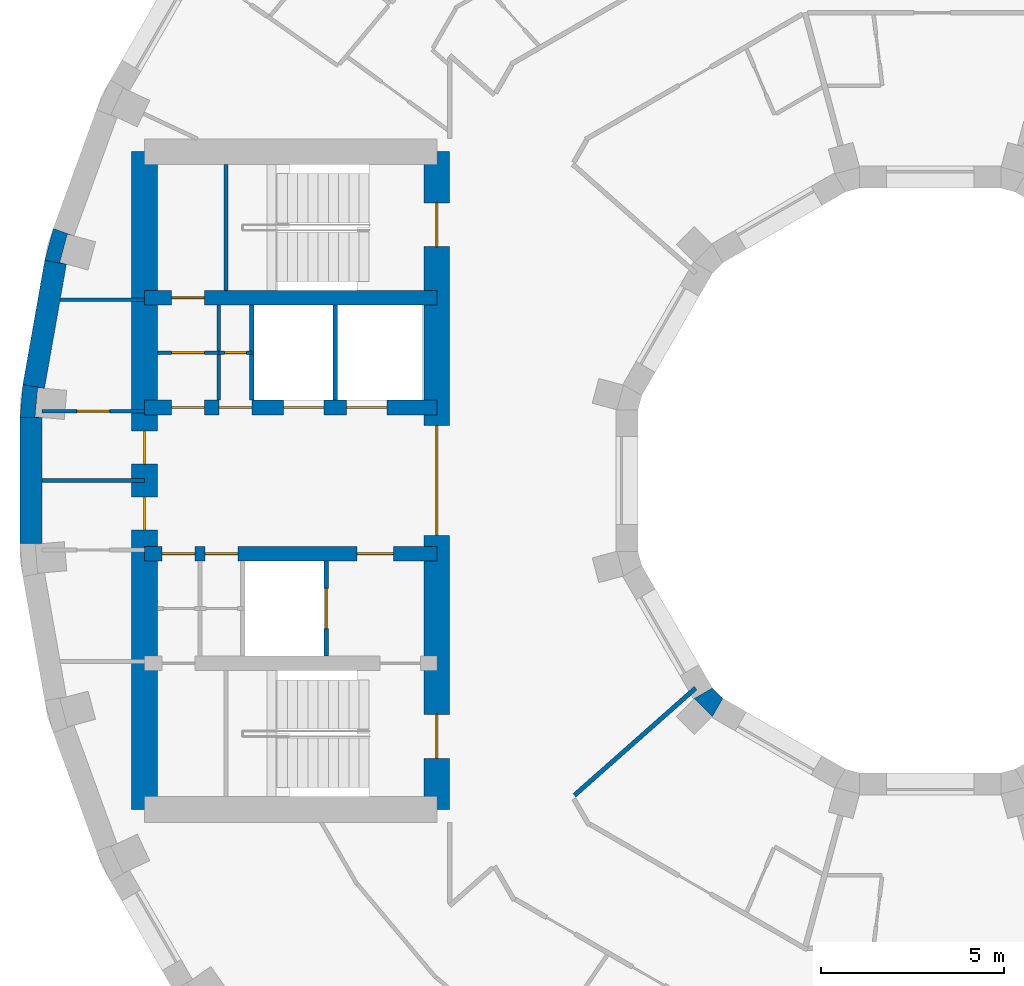
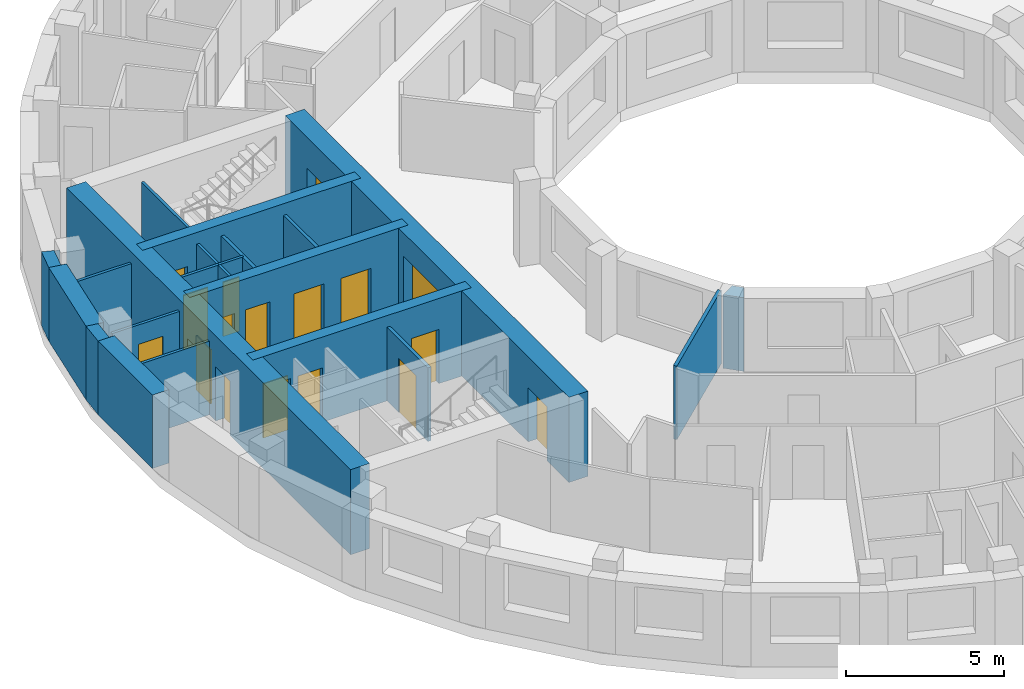
# One storey, part 6 of 15: 21 walls, 17 doors, 17 openings.
"""IFC4 building model written with IfcOpenShell, lengths in metres."""

from ifc_helpers import new_model, si_unit, direction, frame, frame_2d, origin, place, context, subcontext, project, spatial, polyline, rectangle, outline, extrude, material, layer, layer_set, type_object, element, fill, save


model = new_model("IFC4")

# Units and contexts
model_context = context("Model", 3, precision=1e-05, world=origin(), true_north=direction((0.0, 1.0)))
body_context = subcontext(model_context, "Body", "Model", "MODEL_VIEW")
ifc_project = project(units=[si_unit("LENGTHUNIT", "METRE"), si_unit("AREAUNIT", "SQUARE_METRE"), si_unit("VOLUMEUNIT", "CUBIC_METRE"), si_unit("PLANEANGLEUNIT", "RADIAN"), si_unit("MASSUNIT", "GRAM", prefix="KILO")], contexts=[model_context])

# Site, building, storey
site_placement = place(None, origin())
site = spatial("IfcSite", under=ifc_project, at=site_placement, CompositionType="ELEMENT")
building_placement = place(site_placement, origin())
building = spatial("IfcBuilding", under=site, at=building_placement, Name="Saqina Gate Tower", CompositionType="ELEMENT")
storey_placement = place(building_placement, frame((0.0, 0.0, 197.10009765625)))
storey = spatial("IfcBuildingStorey", under=building, at=storey_placement, Name="L56", CompositionType="ELEMENT", Elevation=197.10009765625)

# Walls
ifc_material_1 = material(Name="Brick masonry (buff)", Category="masonry")
wall_type_1 = type_object("IfcWallType", Name="BRICK PIER COPING BUFF", PredefinedType="SOLIDWALL", material=ifc_material_1)
wall_1_placement = place(storey_placement, origin())
element("IfcWall", 1, at=wall_1_placement, inside=storey, type_object=wall_type_1, Name="Pier cap L56 column 17", PredefinedType="SOLIDWALL", context=body_context, shape_type="SweptSolid", body=[
    extrude(outline(polyline([(-24.22705078125, 6.0234375), (-23.635986328125, 5.919189453125), (-23.81689453125, 5.967529296875), (-23.610107421875, 6.740478515625), (-23.428955078125, 6.69189453125), (-23.992919921875, 6.897216796875), (-24.22705078125, 6.0234375)])), origin(), (0.0, 0.0, 1.0), 2.849853515625),
])
wall_2_placement = place(storey_placement, origin())
element("IfcWall", 2, at=wall_2_placement, inside=storey, type_object=wall_type_1, Name="Pier cap L56 column 18", PredefinedType="SOLIDWALL", context=body_context, shape_type="SweptSolid", body=[
    extrude(outline(polyline([(-24.825927734375, 2.6259765625), (-24.90478515625, 1.724853515625), (-24.304931640625, 1.724853515625), (-24.491455078125, 1.7412109375), (-24.421630859375, 2.5380859375), (-24.235107421875, 2.521728515625), (-24.825927734375, 2.6259765625)])), origin(), (0.0, 0.0, 1.0), 2.849853515625),
])
ifc_material_2 = material(Name="Gypsum board on steel studs", Category="steel")
ifc_layer_1 = layer(ifc_material_2, 0.10009765625)
ifc_layer_set_1 = layer_set([ifc_layer_1], Name="CORE PARTITION")
wall_type_2 = type_object("IfcWallType", Name="CORE PARTITION", PredefinedType="PARTITIONING", material=ifc_layer_set_1)
wall_3_placement = place(storey_placement, frame((-21.5, 4.949951171875, 0.0), z_axis=(0.0, 0.0, 1.0), x_axis=(-1.0, 0.0, 0.0)))
element("IfcWall", 3, at=wall_3_placement, inside=storey, type_object=wall_type_2, Name="L56-CP-W01", PredefinedType="PARTITIONING", context=body_context, shape_type="SweptSolid", body=[
    extrude(rectangle(XDim=2.306884765625, YDim=0.10009765625, at=frame_2d((1.1533203125, 0.0))), origin(), (0.0, 0.0, 1.0), 2.849853515625),
])

# Wall, opening, door
wall_4_placement = place(storey_placement, frame((-21.5, 1.89990234375, 0.0), z_axis=(0.0, 0.0, 1.0), x_axis=(-1.0, 0.0, 0.0)))
wall_4 = element("IfcWall", 4, at=wall_4_placement, inside=storey, type_object=wall_type_2, Name="L56-CP-W02", PredefinedType="PARTITIONING", context=body_context, shape_type="SweptSolid", body=[
    extrude(rectangle(XDim=2.804931640625, YDim=0.10009765625, at=frame_2d((1.40234375, 0.0))), origin(), (0.0, 0.0, 1.0), 2.849853515625),
])
opening_1_placement = place(wall_4_placement, frame((0.952392578125, 0.0, 0.0)))
opening_1 = element("IfcOpeningElement", 5, at=opening_1_placement, cuts=wall_4, Name="Opening G16-D114", PredefinedType="OPENING", context=body_context, shape_type="SweptSolid", body=[
    extrude(rectangle(XDim=0.89990234375, YDim=2.10009765625, at=frame_2d((0.449951171875, 1.050048828125))), frame((0.0, 0.06201171875, 0.0), z_axis=(0.0, -1.0, 0.0), x_axis=(1.0, 0.0, 0.0)), (0.0, 0.0, 1.0), 0.1240234375),
])
ifc_material_3 = material(Name="Steel-framed fire door leaf, EI 60", Category="steel")
door_type_1 = type_object("IfcDoorType", Name="SERVICE ROOM DOOR 900", OperationType="SINGLE_SWING_LEFT", PredefinedType="DOOR", material=ifc_material_3)
door_1_placement = place(opening_1_placement, frame((0.89990234375, 0.0, 0.0), z_axis=(0.0, 0.0, 1.0), x_axis=(-1.0, 0.0, 0.0)))
door_1 = element("IfcDoor", 6, at=door_1_placement, inside=storey, type_object=door_type_1, Name="L56-CD-W25", OperationType="SINGLE_SWING_RIGHT", OverallHeight=2.10009765625, OverallWidth=0.89990234375, PredefinedType="DOOR", context=body_context, shape_type="SweptSolid", body=[
    extrude(rectangle(XDim=0.89990234375, YDim=2.10009765625, at=frame_2d((0.449951171875, 1.050048828125))), frame((0.0, 0.02490234375, 0.0), z_axis=(0.0, -1.0, 0.0), x_axis=(1.0, 0.0, 0.0)), (0.0, 0.0, 1.0), 0.050048828125),
])
fill(opening_1, door_1)

# Walls
wall_5_placement = place(storey_placement, frame((-21.5, 0.0, 0.0), z_axis=(0.0, 0.0, 1.0), x_axis=(-1.0, 0.0, 0.0)))
element("IfcWall", 7, at=wall_5_placement, inside=storey, type_object=wall_type_2, Name="L56-CP-W05", PredefinedType="PARTITIONING", context=body_context, shape_type="SweptSolid", body=[
    extrude(rectangle(XDim=2.804931640625, YDim=0.10009765625, at=frame_2d((1.40234375, 0.0))), origin(), (0.0, 0.0, 1.0), 2.849853515625),
])
wall_6_placement = place(storey_placement, frame((-19.466552734375, 2.199951171875, 0.0), z_axis=(0.0, 0.0, 1.0), x_axis=(0.0, 1.0, 0.0)))
element("IfcWall", 8, at=wall_6_placement, inside=storey, type_object=wall_type_2, Name="L56-CP-W08", PredefinedType="PARTITIONING", context=body_context, shape_type="SweptSolid", body=[
    extrude(rectangle(XDim=2.60009765625, YDim=0.10009765625, at=frame_2d((1.300048828125, 0.0))), origin(), (0.0, 0.0, 1.0), 2.849853515625),
])

# Wall, opening, door
wall_7_placement = place(storey_placement, frame((-18.56005859375, 3.5, 0.0), z_axis=(0.0, 0.0, 1.0), x_axis=(-1.0, 0.0, 0.0)))
wall_7 = element("IfcWall", 9, at=wall_7_placement, inside=storey, type_object=wall_type_2, Name="L56-CP-W12", PredefinedType="PARTITIONING", context=body_context, shape_type="SweptSolid", body=[
    extrude(rectangle(XDim=0.906494140625, YDim=0.10009765625, at=frame_2d((0.453125, 0.0))), origin(), (0.0, 0.0, 1.0), 2.849853515625),
])
opening_2_placement = place(wall_7_placement, frame((0.149658203125, 0.0, 0.0)))
opening_2 = element("IfcOpeningElement", 10, at=opening_2_placement, cuts=wall_7, Name="Opening G16-D118", PredefinedType="OPENING", context=body_context, shape_type="SweptSolid", body=[
    extrude(rectangle(XDim=0.60009765625, YDim=2.10009765625, at=frame_2d((0.300048828125, 1.050048828125))), frame((0.0, 0.06201171875, 0.0), z_axis=(0.0, -1.0, 0.0), x_axis=(1.0, 0.0, 0.0)), (0.0, 0.0, 1.0), 0.1240234375),
])
ifc_material_4 = material(Name="Steel-framed fire door leaf, EI 60", Category="steel")
door_type_2 = type_object("IfcDoorType", Name="SERVICE ROOM DOOR 600", OperationType="SINGLE_SWING_LEFT", PredefinedType="DOOR", material=ifc_material_4)
door_2_placement = place(opening_2_placement, origin())
door_2 = element("IfcDoor", 11, at=door_2_placement, inside=storey, type_object=door_type_2, Name="L56-CD-W29", OperationType="SINGLE_SWING_LEFT", OverallHeight=2.10009765625, OverallWidth=0.60009765625, PredefinedType="DOOR", context=body_context, shape_type="SweptSolid", body=[
    extrude(rectangle(XDim=0.60009765625, YDim=2.10009765625, at=frame_2d((0.300048828125, 1.050048828125))), frame((0.0, 0.02490234375, 0.0), z_axis=(0.0, -1.0, 0.0), x_axis=(1.0, 0.0, 0.0)), (0.0, 0.0, 1.0), 0.050048828125),
])
fill(opening_2, door_2)

wall_8_placement = place(storey_placement, frame((-19.466552734375, 3.5, 0.0), z_axis=(0.0, 0.0, 1.0), x_axis=(-1.0, 0.0, 0.0)))
wall_8 = element("IfcWall", 12, at=wall_8_placement, inside=storey, type_object=wall_type_2, Name="L56-CP-W13", PredefinedType="PARTITIONING", context=body_context, shape_type="SweptSolid", body=[
    extrude(rectangle(XDim=1.683349609375, YDim=0.10009765625, at=frame_2d((0.841796875, 0.0))), origin(), (0.0, 0.0, 1.0), 2.849853515625),
])
opening_3_placement = place(wall_8_placement, frame((0.391845703125, 0.0, 0.0)))
opening_3 = element("IfcOpeningElement", 13, at=opening_3_placement, cuts=wall_8, Name="Opening G16-D119", PredefinedType="OPENING", context=body_context, shape_type="SweptSolid", body=[
    extrude(rectangle(XDim=0.89990234375, YDim=2.10009765625, at=frame_2d((0.449951171875, 1.050048828125))), frame((0.0, 0.06201171875, 0.0), z_axis=(0.0, -1.0, 0.0), x_axis=(1.0, 0.0, 0.0)), (0.0, 0.0, 1.0), 0.1240234375),
])
door_3_placement = place(opening_3_placement, frame((0.89990234375, 0.0, 0.0), z_axis=(0.0, 0.0, 1.0), x_axis=(-1.0, 0.0, 0.0)))
door_3 = element("IfcDoor", 14, at=door_3_placement, inside=storey, type_object=door_type_1, Name="L56-CD-W30", OperationType="SINGLE_SWING_LEFT", OverallHeight=2.10009765625, OverallWidth=0.89990234375, PredefinedType="DOOR", context=body_context, shape_type="SweptSolid", body=[
    extrude(rectangle(XDim=0.89990234375, YDim=2.10009765625, at=frame_2d((0.449951171875, 1.050048828125))), frame((0.0, 0.02490234375, 0.0), z_axis=(0.0, -1.0, 0.0), x_axis=(1.0, 0.0, 0.0)), (0.0, 0.0, 1.0), 0.050048828125),
])
fill(opening_3, door_3)

# Walls
ifc_material_5 = material(Name="Glazed ceramic tile", Category="ceramic")
ifc_layer_2 = layer(ifc_material_5, 0.60009765625)
ifc_layer_set_2 = layer_set([ifc_layer_2], Name="FW-TILE")
wall_type_3 = type_object("IfcWallType", Name="FW-TILE", PredefinedType="SOLIDWALL", material=ifc_layer_set_2)
wall_9_placement = place(storey_placement, frame((-23.931640625, 5.97119140625, 0.0), z_axis=(0.0, 0.0, 1.0), x_axis=(-0.173607684551, -0.984814892183, 0.0)))
element("IfcWall", 15, at=wall_9_placement, inside=storey, type_object=wall_type_3, Name="Facade wall L56 facet 17", PredefinedType="SOLIDWALL", context=body_context, shape_type="SweptSolid", body=[
    extrude(rectangle(XDim=3.44970703125, YDim=0.60009765625, at=frame_2d((1.724853515625, 0.0))), origin(), (0.0, 0.0, 1.0), 2.849853515625),
])
ifc_material_6 = material(Name="Glazed ceramic tile (dark blue)", Category="ceramic")
ifc_layer_3 = layer(ifc_material_6, 0.60009765625)
ifc_layer_set_3 = layer_set([ifc_layer_3], Name="FW-TILE-CB")
wall_type_4 = type_object("IfcWallType", Name="FW-TILE-CB", PredefinedType="SOLIDWALL", material=ifc_layer_set_3)
wall_10_placement = place(storey_placement, frame((-24.60498046875, 1.724853515625, 0.0), z_axis=(0.0, 0.0, 1.0), x_axis=(0.0, -1.0, 0.0)))
element("IfcWall", 16, at=wall_10_placement, inside=storey, type_object=wall_type_4, Name="Facade wall L56 facet 18", PredefinedType="SOLIDWALL", context=body_context, shape_type="SweptSolid", body=[
    extrude(rectangle(XDim=3.44970703125, YDim=0.60009765625, at=frame_2d((1.724853515625, 0.0))), origin(), (0.0, 0.0, 1.0), 2.849853515625),
])
ifc_material_7 = material(Name="Gypsum board on steel studs, 125 mm, fire rated", Category="steel")
ifc_layer_4 = layer(ifc_material_7, 0.125)
ifc_layer_set_4 = layer_set([ifc_layer_4], Name="PARTITION EI 30 125")
wall_type_5 = type_object("IfcWallType", Name="PARTITION EI 30 125", PredefinedType="PARTITIONING", material=ifc_layer_set_4)
wall_11_placement = place(storey_placement, frame((-9.7373046875, -8.612548828125, 0.0), z_axis=(0.0, 0.0, 1.0), x_axis=(0.748961830347, 0.662613142552, 0.0)))
element("IfcWall", 17, at=wall_11_placement, inside=storey, type_object=wall_type_5, Name="PARTITION PW1-40", PredefinedType="PARTITIONING", context=body_context, shape_type="SweptSolid", body=[
    extrude(rectangle(XDim=4.427734375, YDim=0.125, at=frame_2d((2.2138671875, 0.0))), origin(), (0.0, 0.0, 1.0), 2.849853515625),
])
ifc_material_8 = material(Name="Autoclaved aerated concrete block", Category="concrete")
ifc_layer_5 = layer(ifc_material_8, 0.1201171875)
ifc_layer_set_5 = layer_set([ifc_layer_5], Name="SHAFT PARTITION")
wall_type_6 = type_object("IfcWallType", Name="SHAFT PARTITION", PredefinedType="PARTITIONING", material=ifc_layer_set_5)
for number, where, z_axis, x_axis, name in (
    (18, (-16.280029296875, 2.199951171875, 0.0), (0.0, 0.0, 1.0), (0.0, 1.0, 0.0), "L56-CP-W06"),
    (19, (-18.56005859375, 2.199951171875, 0.0), (0.0, 0.0, 1.0), (0.0, 1.0, 0.0), "L56-CP-W07"),
):
    element("IfcWall", number, at=place(storey_placement, frame(where, z_axis=z_axis, x_axis=x_axis)), inside=storey, type_object=wall_type_6, Name=name, PredefinedType="PARTITIONING", context=body_context, shape_type="SweptSolid", body=[
        extrude(rectangle(XDim=2.60009765625, YDim=0.1201171875, at=frame_2d((1.300048828125, 0.0))), origin(), (0.0, 0.0, 1.0), 2.849853515625),
    ])

# Wall, opening, door
wall_12_placement = place(storey_placement, frame((-16.530029296875, -4.800048828125, 0.0), z_axis=(0.0, 0.0, 1.0), x_axis=(0.0, 1.0, 0.0)))
wall_12 = element("IfcWall", 20, at=wall_12_placement, inside=storey, type_object=wall_type_6, Name="L56-CP-W09", PredefinedType="PARTITIONING", context=body_context, shape_type="SweptSolid", body=[
    extrude(rectangle(XDim=2.60009765625, YDim=0.1201171875, at=frame_2d((1.300048828125, 0.0))), origin(), (0.0, 0.0, 1.0), 2.849853515625),
])
opening_4_placement = place(wall_12_placement, frame((0.75, 0.0, 0.0)))
opening_4 = element("IfcOpeningElement", 21, at=opening_4_placement, cuts=wall_12, Name="Opening G16-LD6", PredefinedType="OPENING", context=body_context, shape_type="SweptSolid", body=[
    extrude(rectangle(XDim=1.10009765625, YDim=2.10009765625, at=frame_2d((0.550048828125, 1.050048828125))), frame((0.0, 0.072021484375, 0.0), z_axis=(0.0, -1.0, 0.0), x_axis=(1.0, 0.0, 0.0)), (0.0, 0.0, 1.0), 0.14404296875),
])
ifc_material_9 = material(Name="Stainless steel", Category="steel")
door_type_3 = type_object("IfcDoorType", Name="LANDING DOOR", OperationType="DOUBLE_DOOR_SLIDING", PredefinedType="DOOR", material=ifc_material_9)
door_4_placement = place(opening_4_placement, origin())
door_4 = element("IfcDoor", 22, at=door_4_placement, inside=storey, type_object=door_type_3, Name="LANDING DOOR FF2", OperationType="DOUBLE_DOOR_SLIDING", OverallHeight=2.10009765625, OverallWidth=1.10009765625, PredefinedType="DOOR", context=body_context, shape_type="SweptSolid", body=[
    extrude(rectangle(XDim=1.10009765625, YDim=2.10009765625, at=frame_2d((0.550048828125, 1.050048828125))), frame((0.0, 0.02490234375, 0.0), z_axis=(0.0, -1.0, 0.0), x_axis=(1.0, 0.0, 0.0)), (0.0, 0.0, 1.0), 0.050048828125),
])
fill(opening_4, door_4)

# Wall
ifc_material_10 = material(Name="Autoclaved aerated concrete block", Category="concrete")
ifc_layer_6 = layer(ifc_material_10, 0.10009765625)
ifc_layer_set_6 = layer_set([ifc_layer_6], Name="STAIR ENCLOSURE WALL")
wall_type_7 = type_object("IfcWallType", Name="STAIR ENCLOSURE WALL", PredefinedType="PARTITIONING", material=ifc_layer_set_6)
wall_13_placement = place(storey_placement, frame((-19.27001953125, 5.199951171875, 0.0), z_axis=(0.0, 0.0, 1.0), x_axis=(0.0, 1.0, 0.0)))
element("IfcWall", 23, at=wall_13_placement, inside=storey, type_object=wall_type_7, Name="L56-CP-W16", PredefinedType="PARTITIONING", context=body_context, shape_type="SweptSolid", body=[
    extrude(rectangle(XDim=3.449951171875, YDim=0.10009765625, at=frame_2d((1.72509765625, 0.0))), origin(), (0.0, 0.0, 1.0), 2.849853515625),
])

# Wall, opening, door
ifc_material_11 = material(Name="Concrete C60/75", Category="concrete")
ifc_layer_7 = layer(ifc_material_11, 0.39990234375)
ifc_layer_set_7 = layer_set([ifc_layer_7], Name="Concrete C60/75")
wall_type_8 = type_object("IfcWallType", Name="STR-CORE WALL-C-I", PredefinedType="SHEAR", material=ifc_layer_set_7)
wall_14_placement = place(storey_placement, frame((-13.5, 5.0, 0.0), z_axis=(0.0, 0.0, 1.0), x_axis=(-1.0, 0.0, 0.0)))
wall_14 = element("IfcWall", 24, at=wall_14_placement, inside=storey, type_object=wall_type_8, Name="CORE WALL L56 W-X1", PredefinedType="SHEAR", context=body_context, shape_type="SweptSolid", body=[
    extrude(rectangle(XDim=8.0, YDim=0.39990234375, at=frame_2d((4.0, 0.0))), origin(), (0.0, 0.0, 1.0), 3.2998046875),
])
opening_5_placement = place(wall_14_placement, frame((6.358154296875, 0.0, 0.0)))
opening_5 = element("IfcOpeningElement", 25, at=opening_5_placement, cuts=wall_14, Name="Opening G16-D120", PredefinedType="OPENING", context=body_context, shape_type="SweptSolid", body=[
    extrude(rectangle(XDim=0.89990234375, YDim=2.10009765625, at=frame_2d((0.449951171875, 1.050048828125))), frame((0.0, 0.2119140625, 0.0), z_axis=(0.0, -1.0, 0.0), x_axis=(1.0, 0.0, 0.0)), (0.0, 0.0, 1.0), 0.423828125),
])
door_5_placement = place(opening_5_placement, frame((0.89990234375, 0.0, 0.0), z_axis=(0.0, 0.0, 1.0), x_axis=(-1.0, 0.0, 0.0)))
door_5 = element("IfcDoor", 26, at=door_5_placement, inside=storey, type_object=door_type_1, Name="L56-CD-W31", OperationType="SINGLE_SWING_LEFT", OverallHeight=2.10009765625, OverallWidth=0.89990234375, PredefinedType="DOOR", context=body_context, shape_type="SweptSolid", body=[
    extrude(rectangle(XDim=0.89990234375, YDim=2.10009765625, at=frame_2d((0.449951171875, 1.050048828125))), frame((0.0, 0.02490234375, 0.0), z_axis=(0.0, -1.0, 0.0), x_axis=(1.0, 0.0, 0.0)), (0.0, 0.0, 1.0), 0.050048828125),
])
fill(opening_5, door_5)

# Wall, openings, doors
wall_15_placement = place(storey_placement, frame((-13.5, 2.0, 0.0), z_axis=(0.0, 0.0, 1.0), x_axis=(-1.0, 0.0, 0.0)))
wall_15 = element("IfcWall", 27, at=wall_15_placement, inside=storey, type_object=wall_type_8, Name="CORE WALL L56 W-L1", PredefinedType="SHEAR", context=body_context, shape_type="SweptSolid", body=[
    extrude(rectangle(XDim=8.0, YDim=0.39990234375, at=frame_2d((4.0, 0.0))), origin(), (0.0, 0.0, 1.0), 3.2998046875),
])
opening_6_placement = place(wall_15_placement, frame((1.3701171875, 0.0, 0.0)))
opening_6 = element("IfcOpeningElement", 28, at=opening_6_placement, cuts=wall_15, Name="Opening G16-LD4", PredefinedType="OPENING", context=body_context, shape_type="SweptSolid", body=[
    extrude(rectangle(XDim=1.10009765625, YDim=2.10009765625, at=frame_2d((0.550048828125, 1.050048828125))), frame((0.0, 0.2119140625, 0.0), z_axis=(0.0, -1.0, 0.0), x_axis=(1.0, 0.0, 0.0)), (0.0, 0.0, 1.0), 0.423828125),
])
opening_7_placement = place(wall_15_placement, frame((3.090087890625, 0.0, 0.0)))
opening_7 = element("IfcOpeningElement", 29, at=opening_7_placement, cuts=wall_15, Name="Opening G16-LD5", PredefinedType="OPENING", context=body_context, shape_type="SweptSolid", body=[
    extrude(rectangle(XDim=1.10009765625, YDim=2.10009765625, at=frame_2d((0.550048828125, 1.050048828125))), frame((0.0, 0.2119140625, 0.0), z_axis=(0.0, -1.0, 0.0), x_axis=(1.0, 0.0, 0.0)), (0.0, 0.0, 1.0), 0.423828125),
])
opening_8_placement = place(wall_15_placement, frame((5.063232421875, 0.0, 0.0)))
opening_8 = element("IfcOpeningElement", 30, at=opening_8_placement, cuts=wall_15, Name="Opening G16-D109", PredefinedType="OPENING", context=body_context, shape_type="SweptSolid", body=[
    extrude(rectangle(XDim=0.89990234375, YDim=2.10009765625, at=frame_2d((0.449951171875, 1.050048828125))), frame((0.0, 0.2119140625, 0.0), z_axis=(0.0, -1.0, 0.0), x_axis=(1.0, 0.0, 0.0)), (0.0, 0.0, 1.0), 0.423828125),
])
opening_9_placement = place(wall_15_placement, frame((6.358154296875, 0.0, 0.0)))
opening_9 = element("IfcOpeningElement", 31, at=opening_9_placement, cuts=wall_15, Name="Opening G16-D110", PredefinedType="OPENING", context=body_context, shape_type="SweptSolid", body=[
    extrude(rectangle(XDim=0.89990234375, YDim=2.10009765625, at=frame_2d((0.449951171875, 1.050048828125))), frame((0.0, 0.2119140625, 0.0), z_axis=(0.0, -1.0, 0.0), x_axis=(1.0, 0.0, 0.0)), (0.0, 0.0, 1.0), 0.423828125),
])
door_6_placement = place(opening_6_placement, origin())
door_6 = element("IfcDoor", 32, at=door_6_placement, inside=storey, type_object=door_type_3, Name="LANDING DOOR HR3", OperationType="DOUBLE_DOOR_SLIDING", OverallHeight=2.10009765625, OverallWidth=1.10009765625, PredefinedType="DOOR", context=body_context, shape_type="SweptSolid", body=[
    extrude(rectangle(XDim=1.10009765625, YDim=2.10009765625, at=frame_2d((0.550048828125, 1.050048828125))), frame((0.0, 0.02490234375, 0.0), z_axis=(0.0, -1.0, 0.0), x_axis=(1.0, 0.0, 0.0)), (0.0, 0.0, 1.0), 0.050048828125),
])
fill(opening_6, door_6)
door_7_placement = place(opening_7_placement, origin())
door_7 = element("IfcDoor", 33, at=door_7_placement, inside=storey, type_object=door_type_3, Name="LANDING DOOR HR4", OperationType="DOUBLE_DOOR_SLIDING", OverallHeight=2.10009765625, OverallWidth=1.10009765625, PredefinedType="DOOR", context=body_context, shape_type="SweptSolid", body=[
    extrude(rectangle(XDim=1.10009765625, YDim=2.10009765625, at=frame_2d((0.550048828125, 1.050048828125))), frame((0.0, 0.02490234375, 0.0), z_axis=(0.0, -1.0, 0.0), x_axis=(1.0, 0.0, 0.0)), (0.0, 0.0, 1.0), 0.050048828125),
])
fill(opening_7, door_7)
door_8_placement = place(opening_8_placement, frame((0.89990234375, 0.0, 0.0), z_axis=(0.0, 0.0, 1.0), x_axis=(-1.0, 0.0, 0.0)))
door_8 = element("IfcDoor", 34, at=door_8_placement, inside=storey, type_object=door_type_1, Name="L56-CD-W20", OperationType="SINGLE_SWING_RIGHT", OverallHeight=2.10009765625, OverallWidth=0.89990234375, PredefinedType="DOOR", context=body_context, shape_type="SweptSolid", body=[
    extrude(rectangle(XDim=0.89990234375, YDim=2.10009765625, at=frame_2d((0.449951171875, 1.050048828125))), frame((0.0, 0.02490234375, 0.0), z_axis=(0.0, -1.0, 0.0), x_axis=(1.0, 0.0, 0.0)), (0.0, 0.0, 1.0), 0.050048828125),
])
fill(opening_8, door_8)
door_9_placement = place(opening_9_placement, frame((0.89990234375, 0.0, 0.0), z_axis=(0.0, 0.0, 1.0), x_axis=(-1.0, 0.0, 0.0)))
door_9 = element("IfcDoor", 35, at=door_9_placement, inside=storey, type_object=door_type_1, Name="L56-CD-W21", OperationType="SINGLE_SWING_LEFT", OverallHeight=2.10009765625, OverallWidth=0.89990234375, PredefinedType="DOOR", context=body_context, shape_type="SweptSolid", body=[
    extrude(rectangle(XDim=0.89990234375, YDim=2.10009765625, at=frame_2d((0.449951171875, 1.050048828125))), frame((0.0, 0.02490234375, 0.0), z_axis=(0.0, -1.0, 0.0), x_axis=(1.0, 0.0, 0.0)), (0.0, 0.0, 1.0), 0.050048828125),
])
fill(opening_9, door_9)

wall_16_placement = place(storey_placement, frame((-13.5, -2.0, 0.0), z_axis=(0.0, 0.0, 1.0), x_axis=(-1.0, 0.0, 0.0)))
wall_16 = element("IfcWall", 36, at=wall_16_placement, inside=storey, type_object=wall_type_8, Name="CORE WALL L56 W-L2", PredefinedType="SHEAR", context=body_context, shape_type="SweptSolid", body=[
    extrude(rectangle(XDim=8.0, YDim=0.39990234375, at=frame_2d((4.0, 0.0))), origin(), (0.0, 0.0, 1.0), 3.2998046875),
])
opening_10_placement = place(wall_16_placement, frame((1.18994140625, 0.0, 0.0)))
opening_10 = element("IfcOpeningElement", 37, at=opening_10_placement, cuts=wall_16, Name="Opening G16-D111", PredefinedType="OPENING", context=body_context, shape_type="SweptSolid", body=[
    extrude(rectangle(XDim=1.0, YDim=2.10009765625, at=frame_2d((0.5, 1.050048828125))), frame((0.0, 0.2119140625, 0.0), z_axis=(0.0, -1.0, 0.0), x_axis=(1.0, 0.0, 0.0)), (0.0, 0.0, 1.0), 0.423828125),
])
opening_11_placement = place(wall_16_placement, frame((5.445068359375, 0.0, 0.0)))
opening_11 = element("IfcOpeningElement", 38, at=opening_11_placement, cuts=wall_16, Name="Opening G16-D112", PredefinedType="OPENING", context=body_context, shape_type="SweptSolid", body=[
    extrude(rectangle(XDim=0.89990234375, YDim=2.10009765625, at=frame_2d((0.449951171875, 1.050048828125))), frame((0.0, 0.2119140625, 0.0), z_axis=(0.0, -1.0, 0.0), x_axis=(1.0, 0.0, 0.0)), (0.0, 0.0, 1.0), 0.423828125),
])
opening_12_placement = place(wall_16_placement, frame((6.614990234375, 0.0, 0.0)))
opening_12 = element("IfcOpeningElement", 39, at=opening_12_placement, cuts=wall_16, Name="Opening G16-D113", PredefinedType="OPENING", context=body_context, shape_type="SweptSolid", body=[
    extrude(rectangle(XDim=0.89990234375, YDim=2.10009765625, at=frame_2d((0.449951171875, 1.050048828125))), frame((0.0, 0.2119140625, 0.0), z_axis=(0.0, -1.0, 0.0), x_axis=(1.0, 0.0, 0.0)), (0.0, 0.0, 1.0), 0.423828125),
])
ifc_material_12 = material(Name="Steel", Category="steel")
door_type_4 = type_object("IfcDoorType", Name="FIRE LOBBY DOOR EI 60", OperationType="SINGLE_SWING_LEFT", PredefinedType="DOOR", material=ifc_material_12)
door_10_placement = place(opening_10_placement, frame((1.0, 0.0, 0.0), z_axis=(0.0, 0.0, 1.0), x_axis=(-1.0, 0.0, 0.0)))
door_10 = element("IfcDoor", 40, at=door_10_placement, inside=storey, type_object=door_type_4, Name="L56-CD-W22", OperationType="SINGLE_SWING_RIGHT", OverallHeight=2.10009765625, OverallWidth=1.0, PredefinedType="DOOR", context=body_context, shape_type="SweptSolid", body=[
    extrude(rectangle(XDim=1.0, YDim=2.10009765625, at=frame_2d((0.5, 1.050048828125))), frame((0.0, 0.02490234375, 0.0), z_axis=(0.0, -1.0, 0.0), x_axis=(1.0, 0.0, 0.0)), (0.0, 0.0, 1.0), 0.050048828125),
])
fill(opening_10, door_10)
door_11_placement = place(opening_11_placement, origin())
door_11 = element("IfcDoor", 41, at=door_11_placement, inside=storey, type_object=door_type_1, Name="L56-CD-W23", OperationType="SINGLE_SWING_LEFT", OverallHeight=2.10009765625, OverallWidth=0.89990234375, PredefinedType="DOOR", context=body_context, shape_type="SweptSolid", body=[
    extrude(rectangle(XDim=0.89990234375, YDim=2.10009765625, at=frame_2d((0.449951171875, 1.050048828125))), frame((0.0, 0.02490234375, 0.0), z_axis=(0.0, -1.0, 0.0), x_axis=(1.0, 0.0, 0.0)), (0.0, 0.0, 1.0), 0.050048828125),
])
fill(opening_11, door_11)
door_12_placement = place(opening_12_placement, origin())
door_12 = element("IfcDoor", 42, at=door_12_placement, inside=storey, type_object=door_type_1, Name="L56-CD-W24", OperationType="SINGLE_SWING_RIGHT", OverallHeight=2.10009765625, OverallWidth=0.89990234375, PredefinedType="DOOR", context=body_context, shape_type="SweptSolid", body=[
    extrude(rectangle(XDim=0.89990234375, YDim=2.10009765625, at=frame_2d((0.449951171875, 1.050048828125))), frame((0.0, 0.02490234375, 0.0), z_axis=(0.0, -1.0, 0.0), x_axis=(1.0, 0.0, 0.0)), (0.0, 0.0, 1.0), 0.050048828125),
])
fill(opening_12, door_12)

ifc_material_13 = material(Name="Concrete C60/75", Category="concrete")
ifc_layer_8 = layer(ifc_material_13, 0.699951171875)
ifc_layer_set_8 = layer_set([ifc_layer_8], Name="Concrete C60/75")
wall_type_9 = type_object("IfcWallType", Name="STR-CORE WALL-C-O", PredefinedType="SHEAR", material=ifc_layer_set_8)
wall_17_placement = place(storey_placement, frame((-13.5, -9.0, 0.0), z_axis=(0.0, 0.0, 1.0), x_axis=(0.0, 1.0, 0.0)))
wall_17 = element("IfcWall", 43, at=wall_17_placement, inside=storey, type_object=wall_type_9, Name="CORE WALL L56 W-W1", PredefinedType="SHEAR", context=body_context, shape_type="SweptSolid", body=[
    extrude(rectangle(XDim=18.0, YDim=0.699951171875, at=frame_2d((9.0, 0.0))), origin(), (0.0, 0.0, 1.0), 3.2998046875),
])
opening_13_placement = place(wall_17_placement, frame((15.39990234375, 0.0, 0.0)))
opening_13 = element("IfcOpeningElement", 44, at=opening_13_placement, cuts=wall_17, Name="Opening G16-D125", PredefinedType="OPENING", context=body_context, shape_type="SweptSolid", body=[
    extrude(rectangle(XDim=1.199951171875, YDim=2.10009765625, at=frame_2d((0.60009765625, 1.050048828125))), frame((0.0, 0.362060546875, 0.0), z_axis=(0.0, -1.0, 0.0), x_axis=(1.0, 0.0, 0.0)), (0.0, 0.0, 1.0), 0.723876953125),
])
opening_14_placement = place(wall_17_placement, frame((1.39990234375, 0.0, 0.0)))
opening_14 = element("IfcOpeningElement", 45, at=opening_14_placement, cuts=wall_17, Name="Opening G16-D126", PredefinedType="OPENING", context=body_context, shape_type="SweptSolid", body=[
    extrude(rectangle(XDim=1.199951171875, YDim=2.10009765625, at=frame_2d((0.60009765625, 1.050048828125))), frame((0.0, 0.362060546875, 0.0), z_axis=(0.0, -1.0, 0.0), x_axis=(1.0, 0.0, 0.0)), (0.0, 0.0, 1.0), 0.723876953125),
])
opening_15_placement = place(wall_17_placement, frame((7.5, 0.0, 0.0)))
opening_15 = element("IfcOpeningElement", 46, at=opening_15_placement, cuts=wall_17, Name="Opening G16-D127", PredefinedType="OPENING", context=body_context, shape_type="SweptSolid", body=[
    extrude(rectangle(XDim=3.0, YDim=2.39990234375, at=frame_2d((1.5, 1.199951171875))), frame((0.0, 0.362060546875, 0.0), z_axis=(0.0, -1.0, 0.0), x_axis=(1.0, 0.0, 0.0)), (0.0, 0.0, 1.0), 0.723876953125),
])
ifc_material_14 = material(Name="Steel", Category="steel")
door_type_5 = type_object("IfcDoorType", Name="FIRE DOOR EI 60", OperationType="SINGLE_SWING_LEFT", PredefinedType="DOOR", material=ifc_material_14)
door_13_placement = place(opening_13_placement, origin())
door_13 = element("IfcDoor", 47, at=door_13_placement, inside=storey, type_object=door_type_5, Name="L56-CD-W36", OperationType="SINGLE_SWING_RIGHT", OverallHeight=2.10009765625, OverallWidth=1.199951171875, PredefinedType="DOOR", context=body_context, shape_type="SweptSolid", body=[
    extrude(rectangle(XDim=1.199951171875, YDim=2.10009765625, at=frame_2d((0.60009765625, 1.050048828125))), frame((0.0, 0.02490234375, 0.0), z_axis=(0.0, -1.0, 0.0), x_axis=(1.0, 0.0, 0.0)), (0.0, 0.0, 1.0), 0.050048828125),
])
fill(opening_13, door_13)
door_14_placement = place(opening_14_placement, origin())
door_14 = element("IfcDoor", 48, at=door_14_placement, inside=storey, type_object=door_type_5, Name="L56-CD-W37", OperationType="SINGLE_SWING_LEFT", OverallHeight=2.10009765625, OverallWidth=1.199951171875, PredefinedType="DOOR", context=body_context, shape_type="SweptSolid", body=[
    extrude(rectangle(XDim=1.199951171875, YDim=2.10009765625, at=frame_2d((0.60009765625, 1.050048828125))), frame((0.0, 0.02490234375, 0.0), z_axis=(0.0, -1.0, 0.0), x_axis=(1.0, 0.0, 0.0)), (0.0, 0.0, 1.0), 0.050048828125),
])
fill(opening_14, door_14)
ifc_material_15 = material(Name="Steel and fire-resisting glass", Category="steel")
door_type_6 = type_object("IfcDoorType", Name="LOBBY SCREEN DOOR", OperationType="DOUBLE_DOOR_SLIDING", PredefinedType="DOOR", material=ifc_material_15)
door_15_placement = place(opening_15_placement, origin())
door_15 = element("IfcDoor", 49, at=door_15_placement, inside=storey, type_object=door_type_6, Name="L56-CD-W38", OperationType="DOUBLE_DOOR_SLIDING", OverallHeight=2.39990234375, OverallWidth=3.0, PredefinedType="DOOR", context=body_context, shape_type="SweptSolid", body=[
    extrude(rectangle(XDim=3.0, YDim=2.39990234375, at=frame_2d((1.5, 1.199951171875))), frame((0.0, 0.02490234375, 0.0), z_axis=(0.0, -1.0, 0.0), x_axis=(1.0, 0.0, 0.0)), (0.0, 0.0, 1.0), 0.050048828125),
])
fill(opening_15, door_15)

wall_18_placement = place(storey_placement, frame((-21.5, -9.0, 0.0), z_axis=(0.0, 0.0, 1.0), x_axis=(0.0, 1.0, 0.0)))
wall_18 = element("IfcWall", 50, at=wall_18_placement, inside=storey, type_object=wall_type_9, Name="CORE WALL L56 W-W2", PredefinedType="SHEAR", context=body_context, shape_type="SweptSolid", body=[
    extrude(rectangle(XDim=18.0, YDim=0.699951171875, at=frame_2d((9.0, 0.0))), origin(), (0.0, 0.0, 1.0), 3.2998046875),
])
opening_16_placement = place(wall_18_placement, frame((9.449951171875, 0.0, 0.0)))
opening_16 = element("IfcOpeningElement", 51, at=opening_16_placement, cuts=wall_18, Name="Opening G16-D115", PredefinedType="OPENING", context=body_context, shape_type="SweptSolid", body=[
    extrude(rectangle(XDim=0.89990234375, YDim=2.10009765625, at=frame_2d((0.449951171875, 1.050048828125))), frame((0.0, 0.362060546875, 0.0), z_axis=(0.0, -1.0, 0.0), x_axis=(1.0, 0.0, 0.0)), (0.0, 0.0, 1.0), 0.723876953125),
])
opening_17_placement = place(wall_18_placement, frame((7.64990234375, 0.0, 0.0)))
opening_17 = element("IfcOpeningElement", 52, at=opening_17_placement, cuts=wall_18, Name="Opening G16-D117", PredefinedType="OPENING", context=body_context, shape_type="SweptSolid", body=[
    extrude(rectangle(XDim=0.89990234375, YDim=2.10009765625, at=frame_2d((0.449951171875, 1.050048828125))), frame((0.0, 0.362060546875, 0.0), z_axis=(0.0, -1.0, 0.0), x_axis=(1.0, 0.0, 0.0)), (0.0, 0.0, 1.0), 0.723876953125),
])
door_16_placement = place(opening_16_placement, origin())
door_16 = element("IfcDoor", 53, at=door_16_placement, inside=storey, type_object=door_type_1, Name="L56-CD-W26", OperationType="SINGLE_SWING_RIGHT", OverallHeight=2.10009765625, OverallWidth=0.89990234375, PredefinedType="DOOR", context=body_context, shape_type="SweptSolid", body=[
    extrude(rectangle(XDim=0.89990234375, YDim=2.10009765625, at=frame_2d((0.449951171875, 1.050048828125))), frame((0.0, 0.02490234375, 0.0), z_axis=(0.0, -1.0, 0.0), x_axis=(1.0, 0.0, 0.0)), (0.0, 0.0, 1.0), 0.050048828125),
])
fill(opening_16, door_16)
door_17_placement = place(opening_17_placement, origin())
door_17 = element("IfcDoor", 54, at=door_17_placement, inside=storey, type_object=door_type_1, Name="L56-CD-W28", OperationType="SINGLE_SWING_LEFT", OverallHeight=2.10009765625, OverallWidth=0.89990234375, PredefinedType="DOOR", context=body_context, shape_type="SweptSolid", body=[
    extrude(rectangle(XDim=0.89990234375, YDim=2.10009765625, at=frame_2d((0.449951171875, 1.050048828125))), frame((0.0, 0.02490234375, 0.0), z_axis=(0.0, -1.0, 0.0), x_axis=(1.0, 0.0, 0.0)), (0.0, 0.0, 1.0), 0.050048828125),
])
fill(opening_17, door_17)

# Wall
ifc_material_16 = material(Name="Glazed ceramic tile", Category="ceramic")
wall_type_10 = type_object("IfcWallType", Name="TILE PIER COPING", PredefinedType="SOLIDWALL", material=ifc_material_16)
wall_19_placement = place(storey_placement, origin())
element("IfcWall", 55, at=wall_19_placement, inside=storey, type_object=wall_type_10, Name="Well pier cap L56 column 8", PredefinedType="SOLIDWALL", context=body_context, shape_type="SweptSolid", body=[
    extrude(outline(polyline([(-6.45751953125, -5.96240234375), (-5.96240234375, -6.45751953125), (-5.67578125, -5.960693359375), (-5.960693359375, -5.67578125), (-6.45751953125, -5.96240234375)])), origin(), (0.0, 0.0, 1.0), 2.849853515625),
])

save(model, "model.ifc")
